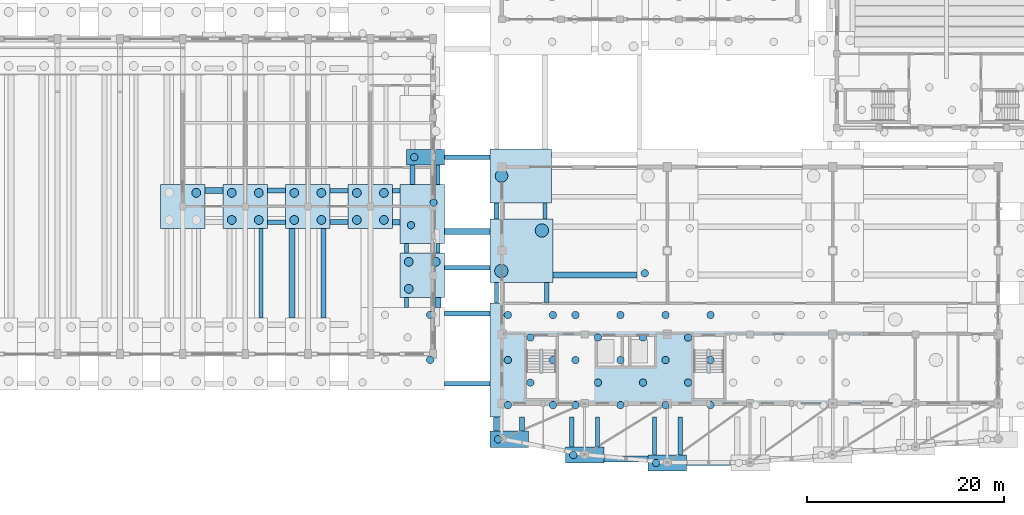
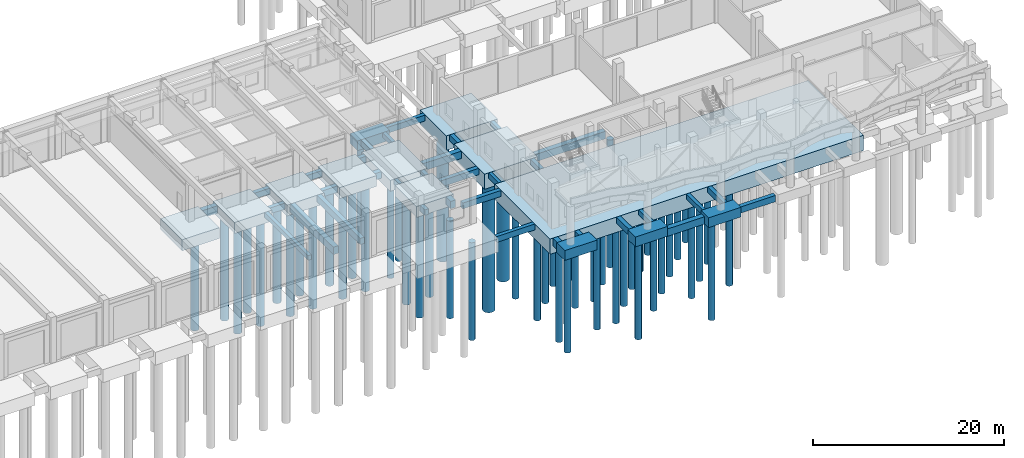
# One storey, part 4 of 60: 54 piles, 47 footings.
"""IFC4 building model written with IfcOpenShell, lengths in metres."""

from ifc_helpers import new_model, si_unit, direction, frame, origin, origin_2d, place, context, subcontext, project, spatial, rectangle, circle, extrude, material, material_profile, profile_set, type_object, element, save


model = new_model("IFC4")

# Units and contexts
model_context = context("Model", 3, precision=1e-05, world=origin(), true_north=direction((0.0, 1.0)))
body_context = subcontext(model_context, "Body", "Model", "MODEL_VIEW")
ifc_project = project(units=[si_unit("LENGTHUNIT", "METRE"), si_unit("AREAUNIT", "SQUARE_METRE"), si_unit("VOLUMEUNIT", "CUBIC_METRE"), si_unit("PLANEANGLEUNIT", "RADIAN"), si_unit("MASSUNIT", "GRAM", prefix="KILO")], contexts=[model_context])

# Site, building, storey
site_placement = place(None, origin())
site = spatial("IfcSite", under=ifc_project, at=site_placement, CompositionType="ELEMENT")
building_placement = place(site_placement, origin())
building = spatial("IfcBuilding", under=site, at=building_placement, Name="Trellovar Central Fire Station", CompositionType="ELEMENT")
storey_placement = place(building_placement, origin())
storey = spatial("IfcBuildingStorey", under=building, at=storey_placement, Name="L01", CompositionType="ELEMENT", Elevation=0.0)

# Footings
ifc_material_1 = material(Name="Concrete C35/45", Category="concrete")
footing_type_1 = type_object("IfcFootingType", Name="CAP-PC06", PredefinedType="PILE_CAP", material=ifc_material_1)
for number, where, z_axis, x_axis, name in (
    (1, (113.89990234375, 3.7548828125, -1.25), (0.0, 0.0, 1.0), (1.0, 0.0, 0.0), "Pile cap PC-06 at (113.9, 3.8)"),
    (2, (122.300048828125, 2.955078125, -1.25), (0.0, 0.0, 1.0), (1.0, 0.0, 0.0), "Pile cap PC-06 at (122.3, 3.0)"),
):
    element("IfcFooting", number, at=place(storey_placement, frame(where, z_axis=z_axis, x_axis=x_axis)), inside=storey, type_object=footing_type_1, Name=name, PredefinedType="PILE_CAP", context=body_context, shape_type="SweptSolid", body=[
        extrude(rectangle(XDim=3.89990234375, YDim=1.60009765625, at=origin_2d()), origin(), (0.0, 0.0, 1.0), 1.25),
    ])
ifc_material_2 = material(Name="Concrete C35/45", Category="concrete")
footing_type_2 = type_object("IfcFootingType", Name="CAP-PC18", PredefinedType="PILE_CAP", material=ifc_material_2)
footing_1_placement = place(storey_placement, frame((97.7451171875, 34.0, -1.64990234375), z_axis=(0.0, 0.0, 1.0), x_axis=(1.0, 0.0, 0.0)))
element("IfcFooting", 3, at=footing_1_placement, inside=storey, type_object=footing_type_2, Name="Pile cap PC-18 at (97.7, 34.0)", PredefinedType="PILE_CAP", context=body_context, shape_type="SweptSolid", body=[
    extrude(rectangle(XDim=3.89990234375, YDim=1.60009765625, at=origin_2d()), origin(), (0.0, 0.0, 1.0), 1.25),
])
ifc_material_3 = material(Name="Concrete C35/45", Category="concrete")
footing_type_3 = type_object("IfcFootingType", Name="CAP-PC22", PredefinedType="PILE_CAP", material=ifc_material_3)
for number, where, z_axis, x_axis, name in (
    (4, (73.10009765625, 29.0, -1.800048828125), (0.0, 0.0, 1.0), (1.0, 0.0, 0.0), "Pile cap PC-22 at (73.1, 29.0)"),
    (5, (79.449951171875, 29.0, -1.800048828125), (0.0, 0.0, 1.0), (1.0, 0.0, 0.0), "Pile cap PC-22 at (79.5, 29.0)"),
    (6, (85.800048828125, 29.0, -1.800048828125), (0.0, 0.0, 1.0), (1.0, 0.0, 0.0), "Pile cap PC-22 at (85.8, 29.0)"),
    (7, (92.14990234375, 29.0, -1.800048828125), (0.0, 0.0, 1.0), (1.0, 0.0, 0.0), "Pile cap PC-22 at (92.2, 29.0)"),
):
    element("IfcFooting", number, at=place(storey_placement, frame(where, z_axis=z_axis, x_axis=x_axis)), inside=storey, type_object=footing_type_3, Name=name, PredefinedType="PILE_CAP", context=body_context, shape_type="SweptSolid", body=[
        extrude(rectangle(XDim=4.5, YDim=4.5, at=origin_2d()), origin(), (0.0, 0.0, 1.0), 1.39990234375),
    ])
ifc_material_4 = material(Name="Concrete C35/45", Category="concrete")
footing_type_4 = type_object("IfcFootingType", Name="CAP-PC24", PredefinedType="PILE_CAP", material=ifc_material_4)
footing_2_placement = place(storey_placement, frame((97.419921875, 22.0, -1.800048828125), z_axis=(0.0, 0.0, 1.0), x_axis=(1.0, 0.0, 0.0)))
element("IfcFooting", 8, at=footing_2_placement, inside=storey, type_object=footing_type_4, Name="Pile cap PC-24 at (97.4, 22.0)", PredefinedType="PILE_CAP", context=body_context, shape_type="SweptSolid", body=[
    extrude(rectangle(XDim=4.5, YDim=4.5, at=origin_2d()), origin(), (0.0, 0.0, 1.0), 1.39990234375),
])
ifc_material_5 = material(Name="Concrete C35/45", Category="concrete")
footing_type_5 = type_object("IfcFootingType", Name="CAP-PC25", PredefinedType="PILE_CAP", material=ifc_material_5)
footing_3_placement = place(storey_placement, frame((97.419921875, 28.238037109375, -1.800048828125), z_axis=(0.0, 0.0, 1.0), x_axis=(1.0, 0.0, 0.0)))
element("IfcFooting", 9, at=footing_3_placement, inside=storey, type_object=footing_type_5, Name="Pile cap PC-25 at (97.4, 28.2)", PredefinedType="PILE_CAP", context=body_context, shape_type="SweptSolid", body=[
    extrude(rectangle(XDim=4.5, YDim=6.0, at=origin_2d()), origin(), (0.0, 0.0, 1.0), 1.39990234375),
])
ifc_material_6 = material(Name="Concrete C35/45", Category="concrete")
footing_type_6 = type_object("IfcFootingType", Name="CAP-PC27", PredefinedType="PILE_CAP", material=ifc_material_6)
footing_4_placement = place(storey_placement, frame((106.2548828125, 5.35498046875, -1.25), z_axis=(0.0, 0.0, 1.0), x_axis=(1.0, 0.0, 0.0)))
element("IfcFooting", 10, at=footing_4_placement, inside=storey, type_object=footing_type_6, Name="Pile cap PC-27 at (106.3, 5.4)", PredefinedType="PILE_CAP", context=body_context, shape_type="SweptSolid", body=[
    extrude(rectangle(XDim=3.89990234375, YDim=1.699951171875, at=origin_2d()), origin(), (0.0, 0.0, 1.0), 1.25),
])
ifc_material_7 = material(Name="Concrete C35/45", Category="concrete")
footing_type_7 = type_object("IfcFootingType", Name="CAP-PC28", PredefinedType="PILE_CAP", material=ifc_material_7)
footing_5_placement = place(storey_placement, frame((123.261962890625, 13.402099609375, -2.35009765625), z_axis=(0.0, 0.0, 1.0), x_axis=(1.0, 0.0, 0.0)))
element("IfcFooting", 11, at=footing_5_placement, inside=storey, type_object=footing_type_7, Name="Pile cap PC-28 at (123.3, 13.4)", PredefinedType="PILE_CAP", context=body_context, shape_type="SweptSolid", body=[
    extrude(rectangle(XDim=37.89990234375, YDim=11.60009765625, at=origin_2d()), origin(), (0.0, 0.0, 1.0), 1.949951171875),
])
ifc_material_8 = material(Name="Concrete C35/45", Category="concrete")
footing_type_8 = type_object("IfcFootingType", Name="CAP-PC29", PredefinedType="PILE_CAP", material=ifc_material_8)
footing_6_placement = place(storey_placement, frame((107.5048828125, 24.5, -2.35009765625), z_axis=(0.0, 0.0, 1.0), x_axis=(1.0, 0.0, 0.0)))
element("IfcFooting", 12, at=footing_6_placement, inside=storey, type_object=footing_type_8, Name="Pile cap PC-29 at (107.5, 24.5)", PredefinedType="PILE_CAP", context=body_context, shape_type="SweptSolid", body=[
    extrude(rectangle(XDim=6.39990234375, YDim=6.39990234375, at=origin_2d()), origin(), (0.0, 0.0, 1.0), 1.949951171875),
])
ifc_material_9 = material(Name="Concrete C35/45", Category="concrete")
footing_type_9 = type_object("IfcFootingType", Name="CAP-PC30", PredefinedType="PILE_CAP", material=ifc_material_9)
footing_7_placement = place(storey_placement, frame((107.419921875, 32.10009765625, -2.25), z_axis=(0.0, 0.0, 1.0), x_axis=(1.0, 0.0, 0.0)))
element("IfcFooting", 13, at=footing_7_placement, inside=storey, type_object=footing_type_9, Name="Pile cap PC-30 at (107.4, 32.1)", PredefinedType="PILE_CAP", context=body_context, shape_type="SweptSolid", body=[
    extrude(rectangle(XDim=6.199951171875, YDim=5.5, at=origin_2d()), origin(), (0.0, 0.0, 1.0), 1.85009765625),
])
ifc_material_10 = material(Name="Concrete C35/45", Category="concrete")
ifc_material_profile_1 = material_profile(ifc_material_10, rectangle(XDim=0.5, YDim=0.800048828125, at=origin_2d()), Name="RC500X800")
ifc_profile_set_1 = profile_set([ifc_material_profile_1], Name="Concrete C35/45")
footing_type_10 = type_object("IfcFootingType", Name="FB-GB1", PredefinedType="FOOTING_BEAM", material=ifc_profile_set_1)
footing_8_placement = place(storey_placement, frame((87.39990234375, 17.64990234375, -0.800048828125), z_axis=(0.0, 1.0, 0.0), x_axis=(-1.0, 0.0, 0.0)))
element("IfcFooting", 14, at=footing_8_placement, inside=storey, type_object=footing_type_10, Name="Footing tie beam GB-129", PredefinedType="FOOTING_BEAM", context=body_context, shape_type="SweptSolid", body=[
    extrude(rectangle(XDim=0.5, YDim=0.800048828125, at=origin_2d()), origin(), (0.0, 0.0, 1.0), 9.10009765625),
])
footing_9_placement = place(storey_placement, frame((88.050048828125, 27.39990234375, -0.800048828125), z_axis=(1.0, 0.0, 0.0), x_axis=(0.0, 1.0, 0.0)))
element("IfcFooting", 15, at=footing_9_placement, inside=storey, type_object=footing_type_10, Name="Footing tie beam GB-130", PredefinedType="FOOTING_BEAM", context=body_context, shape_type="SweptSolid", body=[
    extrude(rectangle(XDim=0.5, YDim=0.800048828125, at=origin_2d()), origin(), (0.0, 0.0, 1.0), 1.849853515625),
])
footing_10_placement = place(storey_placement, frame((94.39990234375, 30.587890625, -0.800048828125), z_axis=(1.0, 0.0, 0.0), x_axis=(0.0, 1.0, 0.0)))
element("IfcFooting", 16, at=footing_10_placement, inside=storey, type_object=footing_type_10, Name="Footing tie beam GB-141", PredefinedType="FOOTING_BEAM", context=body_context, shape_type="SweptSolid", body=[
    extrude(rectangle(XDim=0.5, YDim=0.800048828125, at=origin_2d()), origin(), (0.0, 0.0, 1.0), 0.77001953125),
])
footing_11_placement = place(storey_placement, frame((99.669921875, 22.77490234375, -0.800048828125), z_axis=(1.0, 0.0, 0.0), x_axis=(0.0, 1.0, 0.0)))
element("IfcFooting", 17, at=footing_11_placement, inside=storey, type_object=footing_type_10, Name="Footing tie beam GB-146", PredefinedType="FOOTING_BEAM", context=body_context, shape_type="SweptSolid", body=[
    extrude(rectangle(XDim=0.5, YDim=0.800048828125, at=origin_2d()), origin(), (0.0, 0.0, 1.0), 4.635009765625),
])
footing_12_placement = place(storey_placement, frame((96.445068359375, 31.238037109375, -0.800048828125), z_axis=(0.0, 1.0, 0.0), x_axis=(-1.0, 0.0, 0.0)))
element("IfcFooting", 18, at=footing_12_placement, inside=storey, type_object=footing_type_10, Name="Footing tie beam GB-150", PredefinedType="FOOTING_BEAM", context=body_context, shape_type="SweptSolid", body=[
    extrude(rectangle(XDim=0.5, YDim=0.800048828125, at=origin_2d()), origin(), (0.0, 0.0, 1.0), 1.9619140625),
])
footing_13_placement = place(storey_placement, frame((107.554931640625, 6.205078125, -0.800048828125), z_axis=(0.0, 1.0, 0.0), x_axis=(-1.0, 0.0, 0.0)))
element("IfcFooting", 19, at=footing_13_placement, inside=storey, type_object=footing_type_10, Name="Footing tie beam GB-158", PredefinedType="FOOTING_BEAM", context=body_context, shape_type="SweptSolid", body=[
    extrude(rectangle(XDim=0.5, YDim=0.800048828125, at=origin_2d()), origin(), (0.0, 0.0, 1.0), 1.39697265625),
])
footing_14_placement = place(storey_placement, frame((104.969970703125, 27.699951171875, -0.800048828125), z_axis=(0.0, 1.0, 0.0), x_axis=(-1.0, 0.0, 0.0)))
element("IfcFooting", 20, at=footing_14_placement, inside=storey, type_object=footing_type_10, Name="Footing tie beam GB-165", PredefinedType="FOOTING_BEAM", context=body_context, shape_type="SweptSolid", body=[
    extrude(rectangle(XDim=0.5, YDim=0.800048828125, at=origin_2d()), origin(), (0.0, 0.0, 1.0), 1.650146484375),
])
footing_15_placement = place(storey_placement, frame((112.60009765625, 4.554931640625, -0.800048828125), z_axis=(0.0, 1.0, 0.0), x_axis=(-1.0, 0.0, 0.0)))
element("IfcFooting", 21, at=footing_15_placement, inside=storey, type_object=footing_type_10, Name="Footing tie beam GB-182", PredefinedType="FOOTING_BEAM", context=body_context, shape_type="SweptSolid", body=[
    extrude(rectangle(XDim=0.5, YDim=0.800048828125, at=origin_2d()), origin(), (0.0, 0.0, 1.0), 3.047119140625),
])
footing_16_placement = place(storey_placement, frame((124.25, 2.955078125, -0.800048828125), z_axis=(1.0, 0.0, 0.0), x_axis=(0.0, 1.0, 0.0)))
element("IfcFooting", 22, at=footing_16_placement, inside=storey, type_object=footing_type_10, Name="Footing tie beam GB-194", PredefinedType="FOOTING_BEAM", context=body_context, shape_type="SweptSolid", body=[
    extrude(rectangle(XDim=0.5, YDim=0.800048828125, at=origin_2d()), origin(), (0.0, 0.0, 1.0), 4.5),
])
ifc_material_11 = material(Name="Concrete C35/45", Category="concrete")
ifc_material_profile_2 = material_profile(ifc_material_11, rectangle(XDim=0.60009765625, YDim=0.949951171875, at=origin_2d()), Name="RC600X950")
ifc_profile_set_2 = profile_set([ifc_material_profile_2], Name="Concrete C35/45")
footing_type_11 = type_object("IfcFootingType", Name="FB-GB2", PredefinedType="FOOTING_BEAM", material=ifc_profile_set_2)
footing_17_placement = place(storey_placement, frame((75.35009765625, 30.60009765625, -0.875), z_axis=(1.0, 0.0, 0.0), x_axis=(0.0, 1.0, 0.0)))
element("IfcFooting", 23, at=footing_17_placement, inside=storey, type_object=footing_type_11, Name="Footing tie beam GB-111", PredefinedType="FOOTING_BEAM", context=body_context, shape_type="SweptSolid", body=[
    extrude(rectangle(XDim=0.60009765625, YDim=0.949951171875, at=origin_2d()), origin(), (0.0, 0.0, 1.0), 1.849853515625),
])
footing_18_placement = place(storey_placement, frame((84.199951171875, 17.64990234375, -0.875), z_axis=(0.0, 1.0, 0.0), x_axis=(-1.0, 0.0, 0.0)))
element("IfcFooting", 24, at=footing_18_placement, inside=storey, type_object=footing_type_11, Name="Footing tie beam GB-128", PredefinedType="FOOTING_BEAM", context=body_context, shape_type="SweptSolid", body=[
    extrude(rectangle(XDim=0.60009765625, YDim=0.949951171875, at=origin_2d()), origin(), (0.0, 0.0, 1.0), 9.10009765625),
])
footing_19_placement = place(storey_placement, frame((99.02001953125, 18.761962890625, -0.875), z_axis=(0.0, 1.0, 0.0), x_axis=(-1.0, 0.0, 0.0)))
element("IfcFooting", 25, at=footing_19_placement, inside=storey, type_object=footing_type_11, Name="Footing tie beam GB-139", PredefinedType="FOOTING_BEAM", context=body_context, shape_type="SweptSolid", body=[
    extrude(rectangle(XDim=0.60009765625, YDim=0.949951171875, at=origin_2d()), origin(), (0.0, 0.0, 1.0), 0.988037109375),
])
footing_20_placement = place(storey_placement, frame((99.669921875, 26.468994140625, -0.875), z_axis=(1.0, 0.0, 0.0), x_axis=(0.0, 1.0, 0.0)))
element("IfcFooting", 26, at=footing_20_placement, inside=storey, type_object=footing_type_11, Name="Footing tie beam GB-149", PredefinedType="FOOTING_BEAM", context=body_context, shape_type="SweptSolid", body=[
    extrude(rectangle(XDim=0.60009765625, YDim=0.949951171875, at=origin_2d()), origin(), (0.0, 0.0, 1.0), 4.635009765625),
])
footing_21_placement = place(storey_placement, frame((104.9619140625, 6.205078125, -0.875), z_axis=(0.0, 1.0, 0.0), x_axis=(-1.0, 0.0, 0.0)))
element("IfcFooting", 27, at=footing_21_placement, inside=storey, type_object=footing_type_11, Name="Footing tie beam GB-157", PredefinedType="FOOTING_BEAM", context=body_context, shape_type="SweptSolid", body=[
    extrude(rectangle(XDim=0.60009765625, YDim=0.949951171875, at=origin_2d()), origin(), (0.0, 0.0, 1.0), 1.39697265625),
])
footing_22_placement = place(storey_placement, frame((110.705078125, 22.050048828125, -0.875), z_axis=(1.0, 0.0, 0.0), x_axis=(0.0, 1.0, 0.0)))
element("IfcFooting", 28, at=footing_22_placement, inside=storey, type_object=footing_type_11, Name="Footing tie beam GB-163", PredefinedType="FOOTING_BEAM", context=body_context, shape_type="SweptSolid", body=[
    extrude(rectangle(XDim=0.60009765625, YDim=0.949951171875, at=origin_2d()), origin(), (0.0, 0.0, 1.0), 8.494873046875),
])
footing_23_placement = place(storey_placement, frame((115.85009765625, 3.35498046875, -0.875), z_axis=(1.0, 0.0, 0.0), x_axis=(0.0, 1.0, 0.0)))
element("IfcFooting", 29, at=footing_23_placement, inside=storey, type_object=footing_type_11, Name="Footing tie beam GB-181", PredefinedType="FOOTING_BEAM", context=body_context, shape_type="SweptSolid", body=[
    extrude(rectangle(XDim=0.60009765625, YDim=0.949951171875, at=origin_2d()), origin(), (0.0, 0.0, 1.0), 4.5),
])
ifc_material_12 = material(Name="Concrete C35/45", Category="concrete")
ifc_material_profile_3 = material_profile(ifc_material_12, rectangle(XDim=0.449951171875, YDim=0.75, at=origin_2d()), Name="RC450X750")
ifc_profile_set_3 = profile_set([ifc_material_profile_3], Name="Concrete C35/45")
footing_type_12 = type_object("IfcFootingType", Name="FB-GB3", PredefinedType="FOOTING_BEAM", material=ifc_profile_set_3)
footing_24_placement = place(storey_placement, frame((81.699951171875, 27.39990234375, -0.77490234375), z_axis=(1.0, 0.0, 0.0), x_axis=(0.0, 1.0, 0.0)))
element("IfcFooting", 30, at=footing_24_placement, inside=storey, type_object=footing_type_12, Name="Footing tie beam GB-120", PredefinedType="FOOTING_BEAM", context=body_context, shape_type="SweptSolid", body=[
    extrude(rectangle(XDim=0.449951171875, YDim=0.75, at=origin_2d()), origin(), (0.0, 0.0, 1.0), 1.85009765625),
])
footing_25_placement = place(storey_placement, frame((88.050048828125, 30.60009765625, -0.77490234375), z_axis=(1.0, 0.0, 0.0), x_axis=(0.0, 1.0, 0.0)))
element("IfcFooting", 31, at=footing_25_placement, inside=storey, type_object=footing_type_12, Name="Footing tie beam GB-131", PredefinedType="FOOTING_BEAM", context=body_context, shape_type="SweptSolid", body=[
    extrude(rectangle(XDim=0.449951171875, YDim=0.75, at=origin_2d()), origin(), (0.0, 0.0, 1.0), 1.849853515625),
])
footing_26_placement = place(storey_placement, frame((99.68505859375, 11.011962890625, -0.77490234375), z_axis=(1.0, 0.0, 0.0), x_axis=(0.0, 1.0, 0.0)))
element("IfcFooting", 32, at=footing_26_placement, inside=storey, type_object=footing_type_12, Name="Footing tie beam GB-136", PredefinedType="FOOTING_BEAM", context=body_context, shape_type="SweptSolid", body=[
    extrude(rectangle(XDim=0.449951171875, YDim=0.75, at=origin_2d()), origin(), (0.0, 0.0, 1.0), 4.626953125),
])
footing_27_placement = place(storey_placement, frame((99.695068359375, 34.0, -0.77490234375), z_axis=(1.0, 0.0, 0.0), x_axis=(0.0, 1.0, 0.0)))
element("IfcFooting", 33, at=footing_27_placement, inside=storey, type_object=footing_type_12, Name="Footing tie beam GB-152", PredefinedType="FOOTING_BEAM", context=body_context, shape_type="SweptSolid", body=[
    extrude(rectangle(XDim=0.449951171875, YDim=0.75, at=origin_2d()), origin(), (0.0, 0.0, 1.0), 4.625),
])
ifc_material_13 = material(Name="Concrete C35/45", Category="concrete")
ifc_material_profile_4 = material_profile(ifc_material_13, rectangle(XDim=0.39990234375, YDim=0.64990234375, at=origin_2d()), Name="RC400X650")
ifc_profile_set_4 = profile_set([ifc_material_profile_4], Name="Concrete C35/45")
footing_type_13 = type_object("IfcFootingType", Name="FB-GB4", PredefinedType="FOOTING_BEAM", material=ifc_profile_set_4)
footing_28_placement = place(storey_placement, frame((95.820068359375, 24.25, -0.72509765625), z_axis=(0.0, 1.0, 0.0), x_axis=(-1.0, 0.0, 0.0)))
element("IfcFooting", 34, at=footing_28_placement, inside=storey, type_object=footing_type_13, Name="Footing tie beam GB-147", PredefinedType="FOOTING_BEAM", context=body_context, shape_type="SweptSolid", body=[
    extrude(rectangle(XDim=0.39990234375, YDim=0.64990234375, at=origin_2d()), origin(), (0.0, 0.0, 1.0), 0.988037109375),
])
footing_29_placement = place(storey_placement, frame((104.9619140625, 19.201904296875, -0.72509765625), z_axis=(0.0, 1.0, 0.0), x_axis=(-1.0, 0.0, 0.0)))
element("IfcFooting", 35, at=footing_29_placement, inside=storey, type_object=footing_type_13, Name="Footing tie beam GB-161", PredefinedType="FOOTING_BEAM", context=body_context, shape_type="SweptSolid", body=[
    extrude(rectangle(XDim=0.39990234375, YDim=0.64990234375, at=origin_2d()), origin(), (0.0, 0.0, 1.0), 2.09814453125),
])
footing_30_placement = place(storey_placement, frame((121.0, 3.7548828125, -0.72509765625), z_axis=(0.0, 1.0, 0.0), x_axis=(-1.0, 0.0, 0.0)))
element("IfcFooting", 36, at=footing_30_placement, inside=storey, type_object=footing_type_13, Name="Footing tie beam GB-195", PredefinedType="FOOTING_BEAM", context=body_context, shape_type="SweptSolid", body=[
    extrude(rectangle(XDim=0.39990234375, YDim=0.64990234375, at=origin_2d()), origin(), (0.0, 0.0, 1.0), 3.84716796875),
])
ifc_material_14 = material(Name="Concrete C35/45", Category="concrete")
ifc_material_profile_5 = material_profile(ifc_material_14, rectangle(XDim=0.550048828125, YDim=0.85009765625, at=origin_2d()), Name="RC550X850")
ifc_profile_set_5 = profile_set([ifc_material_profile_5], Name="Concrete C35/45")
footing_type_14 = type_object("IfcFootingType", Name="FB-GB5", PredefinedType="FOOTING_BEAM", material=ifc_profile_set_5)
footing_31_placement = place(storey_placement, frame((94.39990234375, 27.39990234375, -0.824951171875), z_axis=(1.0, 0.0, 0.0), x_axis=(0.0, 1.0, 0.0)))
element("IfcFooting", 37, at=footing_31_placement, inside=storey, type_object=footing_type_14, Name="Footing tie beam GB-140", PredefinedType="FOOTING_BEAM", context=body_context, shape_type="SweptSolid", body=[
    extrude(rectangle(XDim=0.550048828125, YDim=0.85009765625, at=origin_2d()), origin(), (0.0, 0.0, 1.0), 0.77001953125),
])
ifc_material_15 = material(Name="Concrete C35/45", Category="concrete")
ifc_material_profile_6 = material_profile(ifc_material_15, rectangle(XDim=0.5, YDim=0.75, at=origin_2d()), Name="RC500X750")
ifc_profile_set_6 = profile_set([ifc_material_profile_6], Name="Concrete C35/45")
footing_type_15 = type_object("IfcFootingType", Name="FB-GB6", PredefinedType="FOOTING_BEAM", material=ifc_profile_set_6)
footing_32_placement = place(storey_placement, frame((81.699951171875, 30.60009765625, -0.77490234375), z_axis=(1.0, 0.0, 0.0), x_axis=(0.0, 1.0, 0.0)))
element("IfcFooting", 38, at=footing_32_placement, inside=storey, type_object=footing_type_15, Name="Footing tie beam GB-121", PredefinedType="FOOTING_BEAM", context=body_context, shape_type="SweptSolid", body=[
    extrude(rectangle(XDim=0.5, YDim=0.75, at=origin_2d()), origin(), (0.0, 0.0, 1.0), 1.85009765625),
])
footing_33_placement = place(storey_placement, frame((99.68505859375, 18.112060546875, -0.77490234375), z_axis=(1.0, 0.0, 0.0), x_axis=(0.0, 1.0, 0.0)))
element("IfcFooting", 39, at=footing_33_placement, inside=storey, type_object=footing_type_15, Name="Footing tie beam GB-137", PredefinedType="FOOTING_BEAM", context=body_context, shape_type="SweptSolid", body=[
    extrude(rectangle(XDim=0.5, YDim=0.75, at=origin_2d()), origin(), (0.0, 0.0, 1.0), 4.626953125),
])
ifc_material_16 = material(Name="Concrete C35/45", Category="concrete")
ifc_material_profile_7 = material_profile(ifc_material_16, rectangle(XDim=0.449951171875, YDim=0.699951171875, at=origin_2d()), Name="RC450X700")
ifc_profile_set_7 = profile_set([ifc_material_profile_7], Name="Concrete C35/45")
footing_type_16 = type_object("IfcFootingType", Name="FB-GB7", PredefinedType="FOOTING_BEAM", material=ifc_profile_set_7)
for number, where, z_axis, x_axis, name in (
    (40, (95.820068359375, 18.761962890625, -0.75), (0.0, 1.0, 0.0), (-1.0, 0.0, 0.0), "Footing tie beam GB-138"),
    (41, (99.02001953125, 24.25, -0.75), (0.0, 1.0, 0.0), (-1.0, 0.0, 0.0), "Footing tie beam GB-148"),
):
    element("IfcFooting", number, at=place(storey_placement, frame(where, z_axis=z_axis, x_axis=x_axis)), inside=storey, type_object=footing_type_16, Name=name, PredefinedType="FOOTING_BEAM", context=body_context, shape_type="SweptSolid", body=[
        extrude(rectangle(XDim=0.449951171875, YDim=0.699951171875, at=origin_2d()), origin(), (0.0, 0.0, 1.0), 0.988037109375),
    ])
footing_34_placement = place(storey_placement, frame((110.054931640625, 19.201904296875, -0.75), z_axis=(0.0, 1.0, 0.0), x_axis=(-1.0, 0.0, 0.0)))
element("IfcFooting", 42, at=footing_34_placement, inside=storey, type_object=footing_type_16, Name="Footing tie beam GB-162", PredefinedType="FOOTING_BEAM", context=body_context, shape_type="SweptSolid", body=[
    extrude(rectangle(XDim=0.449951171875, YDim=0.699951171875, at=origin_2d()), origin(), (0.0, 0.0, 1.0), 2.09814453125),
])
footing_35_placement = place(storey_placement, frame((123.60009765625, 3.7548828125, -0.75), z_axis=(0.0, 1.0, 0.0), x_axis=(-1.0, 0.0, 0.0)))
element("IfcFooting", 43, at=footing_35_placement, inside=storey, type_object=footing_type_16, Name="Footing tie beam GB-196", PredefinedType="FOOTING_BEAM", context=body_context, shape_type="SweptSolid", body=[
    extrude(rectangle(XDim=0.449951171875, YDim=0.699951171875, at=origin_2d()), origin(), (0.0, 0.0, 1.0), 3.84716796875),
])
ifc_material_17 = material(Name="Concrete C35/45", Category="concrete")
ifc_material_profile_8 = material_profile(ifc_material_17, rectangle(XDim=0.39990234375, YDim=0.60009765625, at=origin_2d()), Name="RC400X600")
ifc_profile_set_8 = profile_set([ifc_material_profile_8], Name="Concrete C35/45")
footing_type_17 = type_object("IfcFootingType", Name="FB-GB8", PredefinedType="FOOTING_BEAM", material=ifc_profile_set_8)
footing_36_placement = place(storey_placement, frame((81.050048828125, 17.64990234375, -0.699951171875), z_axis=(0.0, 1.0, 0.0), x_axis=(-1.0, 0.0, 0.0)))
element("IfcFooting", 44, at=footing_36_placement, inside=storey, type_object=footing_type_17, Name="Footing tie beam GB-119", PredefinedType="FOOTING_BEAM", context=body_context, shape_type="SweptSolid", body=[
    extrude(rectangle(XDim=0.39990234375, YDim=0.60009765625, at=origin_2d()), origin(), (0.0, 0.0, 1.0), 9.10009765625),
])
footing_37_placement = place(storey_placement, frame((99.02001953125, 31.238037109375, -0.699951171875), z_axis=(0.0, 1.0, 0.0), x_axis=(-1.0, 0.0, 0.0)))
element("IfcFooting", 45, at=footing_37_placement, inside=storey, type_object=footing_type_17, Name="Footing tie beam GB-151", PredefinedType="FOOTING_BEAM", context=body_context, shape_type="SweptSolid", body=[
    extrude(rectangle(XDim=0.39990234375, YDim=0.60009765625, at=origin_2d()), origin(), (0.0, 0.0, 1.0), 1.9619140625),
])
footing_38_placement = place(storey_placement, frame((109.8701171875, 27.699951171875, -0.699951171875), z_axis=(0.0, 1.0, 0.0), x_axis=(-1.0, 0.0, 0.0)))
element("IfcFooting", 46, at=footing_38_placement, inside=storey, type_object=footing_type_17, Name="Footing tie beam GB-166", PredefinedType="FOOTING_BEAM", context=body_context, shape_type="SweptSolid", body=[
    extrude(rectangle(XDim=0.39990234375, YDim=0.60009765625, at=origin_2d()), origin(), (0.0, 0.0, 1.0), 1.650146484375),
])
footing_39_placement = place(storey_placement, frame((115.199951171875, 4.554931640625, -0.699951171875), z_axis=(0.0, 1.0, 0.0), x_axis=(-1.0, 0.0, 0.0)))
element("IfcFooting", 47, at=footing_39_placement, inside=storey, type_object=footing_type_17, Name="Footing tie beam GB-183", PredefinedType="FOOTING_BEAM", context=body_context, shape_type="SweptSolid", body=[
    extrude(rectangle(XDim=0.39990234375, YDim=0.60009765625, at=origin_2d()), origin(), (0.0, 0.0, 1.0), 3.047119140625),
])

# Piles
ifc_material_18 = material(Name="Concrete C35/45", Category="concrete")
ifc_material_profile_9 = material_profile(ifc_material_18, circle(Radius=0.375, at=origin_2d()), Name="PILE750")
ifc_profile_set_9 = profile_set([ifc_material_profile_9], Name="Concrete C35/45")
pile_type_1 = type_object("IfcPileType", Name="PILE-BP1", PredefinedType="BORED", material=ifc_profile_set_9)
for number, where, z_axis, x_axis, name in (
    (48, (98.215087890625, 13.4189453125, -2.0), (0.0, 0.0, -1.0), (1.0, 0.0, 0.0), "Bored pile FNDBP3-053-07"),
    (49, (98.215087890625, 17.991943359375, -2.0), (0.0, 0.0, -1.0), (1.0, 0.0, 0.0), "Bored pile FNDBP3-053-08"),
    (50, (96.277099609375, 27.094970703125, -1.699951171875), (0.0, 0.0, -1.0), (1.0, 0.0, 0.0), "Bored pile FNDBP3-057-01"),
    (51, (98.56298828125, 29.381103515625, -1.699951171875), (0.0, 0.0, -1.0), (1.0, 0.0, 0.0), "Bored pile FNDBP3-057-02"),
    (52, (96.60205078125, 34.0, -1.550048828125), (0.0, 0.0, -1.0), (1.0, 0.0, 0.0), "Bored pile FNDBP3-058-01"),
    (53, (105.112060546875, 5.35498046875, -1.14990234375), (0.0, 0.0, -1.0), (1.0, 0.0, 0.0), "Bored pile FNDBP3-060-01"),
    (54, (106.110107421875, 8.827880859375, -2.25), (0.0, 0.0, -1.0), (1.0, 0.0, 0.0), "Bored pile FNDBP3-061-01"),
    (55, (106.110107421875, 13.402099609375, -2.25), (0.0, 0.0, -1.0), (1.0, 0.0, 0.0), "Bored pile FNDBP3-061-02"),
    (56, (106.110107421875, 17.97607421875, -2.25), (0.0, 0.0, -1.0), (1.0, 0.0, 0.0), "Bored pile FNDBP3-061-03"),
    (57, (108.39599609375, 11.114990234375, -2.25), (0.0, 0.0, -1.0), (1.0, 0.0, 0.0), "Bored pile FNDBP3-061-04"),
    (58, (108.39599609375, 15.68896484375, -2.25), (0.0, 0.0, -1.0), (1.0, 0.0, 0.0), "Bored pile FNDBP3-061-05"),
    (59, (110.68310546875, 8.827880859375, -2.25), (0.0, 0.0, -1.0), (1.0, 0.0, 0.0), "Bored pile FNDBP3-061-06"),
    (60, (110.68310546875, 13.402099609375, -2.25), (0.0, 0.0, -1.0), (1.0, 0.0, 0.0), "Bored pile FNDBP3-061-07"),
    (61, (110.68310546875, 17.97607421875, -2.25), (0.0, 0.0, -1.0), (1.0, 0.0, 0.0), "Bored pile FNDBP3-061-08"),
    (62, (112.970947265625, 8.827880859375, -2.25), (0.0, 0.0, -1.0), (1.0, 0.0, 0.0), "Bored pile FNDBP3-061-09"),
    (63, (112.970947265625, 13.402099609375, -2.25), (0.0, 0.0, -1.0), (1.0, 0.0, 0.0), "Bored pile FNDBP3-061-10"),
    (64, (112.970947265625, 17.97607421875, -2.25), (0.0, 0.0, -1.0), (1.0, 0.0, 0.0), "Bored pile FNDBP3-061-11"),
    (65, (115.257080078125, 11.114990234375, -2.25), (0.0, 0.0, -1.0), (1.0, 0.0, 0.0), "Bored pile FNDBP3-061-12"),
    (66, (115.257080078125, 15.68896484375, -2.25), (0.0, 0.0, -1.0), (1.0, 0.0, 0.0), "Bored pile FNDBP3-061-13"),
    (67, (117.5439453125, 8.827880859375, -2.25), (0.0, 0.0, -1.0), (1.0, 0.0, 0.0), "Bored pile FNDBP3-061-14"),
    (68, (117.5439453125, 13.402099609375, -2.25), (0.0, 0.0, -1.0), (1.0, 0.0, 0.0), "Bored pile FNDBP3-061-15"),
    (69, (117.5439453125, 17.97607421875, -2.25), (0.0, 0.0, -1.0), (1.0, 0.0, 0.0), "Bored pile FNDBP3-061-16"),
    (70, (119.8310546875, 11.114990234375, -2.25), (0.0, 0.0, -1.0), (1.0, 0.0, 0.0), "Bored pile FNDBP3-061-17"),
    (71, (119.8310546875, 15.68896484375, -2.25), (0.0, 0.0, -1.0), (1.0, 0.0, 0.0), "Bored pile FNDBP3-061-18"),
    (72, (122.118896484375, 8.827880859375, -2.25), (0.0, 0.0, -1.0), (1.0, 0.0, 0.0), "Bored pile FNDBP3-061-19"),
    (73, (122.118896484375, 13.402099609375, -2.25), (0.0, 0.0, -1.0), (1.0, 0.0, 0.0), "Bored pile FNDBP3-061-20"),
    (74, (122.118896484375, 17.97607421875, -2.25), (0.0, 0.0, -1.0), (1.0, 0.0, 0.0), "Bored pile FNDBP3-061-21"),
    (75, (124.405029296875, 11.114990234375, -2.25), (0.0, 0.0, -1.0), (1.0, 0.0, 0.0), "Bored pile FNDBP3-061-22"),
    (76, (124.405029296875, 15.68896484375, -2.25), (0.0, 0.0, -1.0), (1.0, 0.0, 0.0), "Bored pile FNDBP3-061-23"),
    (77, (126.69189453125, 8.827880859375, -2.25), (0.0, 0.0, -1.0), (1.0, 0.0, 0.0), "Bored pile FNDBP3-061-24"),
    (78, (126.69189453125, 13.402099609375, -2.25), (0.0, 0.0, -1.0), (1.0, 0.0, 0.0), "Bored pile FNDBP3-061-25"),
    (79, (126.69189453125, 17.97607421875, -2.25), (0.0, 0.0, -1.0), (1.0, 0.0, 0.0), "Bored pile FNDBP3-061-26"),
    (80, (112.757080078125, 3.7548828125, -1.14990234375), (0.0, 0.0, -1.0), (1.0, 0.0, 0.0), "Bored pile FNDBP3-067-01"),
    (81, (121.156982421875, 2.955078125, -1.14990234375), (0.0, 0.0, -1.0), (1.0, 0.0, 0.0), "Bored pile FNDBP3-071-01"),
    (82, (120.012939453125, 22.212890625, -1.85009765625), (0.0, 0.0, -1.0), (1.0, 0.0, 0.0), "Bored pile FNDBP3-072-01"),
):
    element("IfcPile", number, at=place(storey_placement, frame(where, z_axis=z_axis, x_axis=x_axis)), inside=storey, type_object=pile_type_1, Name=name, PredefinedType="BORED", context=body_context, shape_type="SweptSolid", body=[
        extrude(circle(Radius=0.375, at=origin_2d()), origin(), (0.0, 0.0, 1.0), 12.5),
    ])
ifc_material_19 = material(Name="Concrete C35/45", Category="concrete")
ifc_material_profile_10 = material_profile(ifc_material_19, circle(Radius=0.449951171875, at=origin_2d()), Name="PILE900")
ifc_profile_set_10 = profile_set([ifc_material_profile_10], Name="Concrete C35/45")
pile_type_2 = type_object("IfcPileType", Name="PILE-BP2", PredefinedType="BORED", material=ifc_profile_set_10)
for number, where, z_axis, x_axis, name in (
    (83, (74.472900390625, 30.373046875, -1.699951171875), (0.0, 0.0, -1.0), (1.0, 0.0, 0.0), "Bored pile FNDBP3-045-04"),
    (84, (78.076904296875, 27.626953125, -1.699951171875), (0.0, 0.0, -1.0), (1.0, 0.0, 0.0), "Bored pile FNDBP3-048-01"),
    (85, (78.076904296875, 30.373046875, -1.699951171875), (0.0, 0.0, -1.0), (1.0, 0.0, 0.0), "Bored pile FNDBP3-048-02"),
    (86, (80.822998046875, 27.626953125, -1.699951171875), (0.0, 0.0, -1.0), (1.0, 0.0, 0.0), "Bored pile FNDBP3-048-03"),
    (87, (80.822998046875, 30.373046875, -1.699951171875), (0.0, 0.0, -1.0), (1.0, 0.0, 0.0), "Bored pile FNDBP3-048-04"),
    (88, (84.427001953125, 27.626953125, -1.699951171875), (0.0, 0.0, -1.0), (1.0, 0.0, 0.0), "Bored pile FNDBP3-051-01"),
    (89, (84.427001953125, 30.373046875, -1.699951171875), (0.0, 0.0, -1.0), (1.0, 0.0, 0.0), "Bored pile FNDBP3-051-02"),
    (90, (87.173095703125, 27.626953125, -1.699951171875), (0.0, 0.0, -1.0), (1.0, 0.0, 0.0), "Bored pile FNDBP3-051-03"),
    (91, (87.173095703125, 30.373046875, -1.699951171875), (0.0, 0.0, -1.0), (1.0, 0.0, 0.0), "Bored pile FNDBP3-051-04"),
    (92, (90.777099609375, 27.626953125, -1.699951171875), (0.0, 0.0, -1.0), (1.0, 0.0, 0.0), "Bored pile FNDBP3-054-01"),
    (93, (90.777099609375, 30.373046875, -1.699951171875), (0.0, 0.0, -1.0), (1.0, 0.0, 0.0), "Bored pile FNDBP3-054-02"),
    (94, (93.52294921875, 27.626953125, -1.699951171875), (0.0, 0.0, -1.0), (1.0, 0.0, 0.0), "Bored pile FNDBP3-054-03"),
    (95, (93.52294921875, 30.373046875, -1.699951171875), (0.0, 0.0, -1.0), (1.0, 0.0, 0.0), "Bored pile FNDBP3-054-04"),
    (96, (96.047119140625, 20.626953125, -1.699951171875), (0.0, 0.0, -1.0), (1.0, 0.0, 0.0), "Bored pile FNDBP3-056-01"),
    (97, (96.047119140625, 23.373046875, -1.699951171875), (0.0, 0.0, -1.0), (1.0, 0.0, 0.0), "Bored pile FNDBP3-056-02"),
    (98, (98.79296875, 23.373046875, -1.699951171875), (0.0, 0.0, -1.0), (1.0, 0.0, 0.0), "Bored pile FNDBP3-056-03"),
):
    element("IfcPile", number, at=place(storey_placement, frame(where, z_axis=z_axis, x_axis=x_axis)), inside=storey, type_object=pile_type_2, Name=name, PredefinedType="BORED", context=body_context, shape_type="SweptSolid", body=[
        extrude(circle(Radius=0.449951171875, at=origin_2d()), origin(), (0.0, 0.0, 1.0), 13.5),
    ])
ifc_material_20 = material(Name="Concrete C35/45", Category="concrete")
ifc_material_profile_11 = material_profile(ifc_material_20, circle(Radius=0.639892578125, at=origin_2d()), Name="PILE1280")
ifc_profile_set_11 = profile_set([ifc_material_profile_11], Name="Concrete C35/45")
pile_type_3 = type_object("IfcPileType", Name="PILE-BP5", PredefinedType="BORED", material=ifc_profile_set_11)
pile_placement = place(storey_placement, frame((105.468017578125, 32.10009765625, -2.14990234375), z_axis=(0.0, 0.0, -1.0), x_axis=(1.0, 0.0, 0.0)))
element("IfcPile", 99, at=pile_placement, inside=storey, type_object=pile_type_3, Name="Bored pile FNDBP3-063-01", PredefinedType="BORED", context=body_context, shape_type="SweptSolid", body=[
    extrude(circle(Radius=0.639892578125, at=origin_2d()), origin(), (0.0, 0.0, 1.0), 16.0),
])
ifc_material_21 = material(Name="Concrete C35/45", Category="concrete")
ifc_material_profile_12 = material_profile(ifc_material_21, circle(Radius=0.675048828125, at=origin_2d()), Name="PILE1350")
ifc_profile_set_12 = profile_set([ifc_material_profile_12], Name="Concrete C35/45")
pile_type_4 = type_object("IfcPileType", Name="PILE-BP6", PredefinedType="BORED", material=ifc_profile_set_12)
for number, where, z_axis, x_axis, name in (
    (100, (105.447021484375, 22.44189453125, -2.25), (0.0, 0.0, -1.0), (1.0, 0.0, 0.0), "Bored pile FNDBP3-062-01"),
    (101, (109.56298828125, 26.55810546875, -2.25), (0.0, 0.0, -1.0), (1.0, 0.0, 0.0), "Bored pile FNDBP3-062-02"),
):
    element("IfcPile", number, at=place(storey_placement, frame(where, z_axis=z_axis, x_axis=x_axis)), inside=storey, type_object=pile_type_4, Name=name, PredefinedType="BORED", context=body_context, shape_type="SweptSolid", body=[
        extrude(circle(Radius=0.675048828125, at=origin_2d()), origin(), (0.0, 0.0, 1.0), 16.5),
    ])

save(model, "model.ifc")
